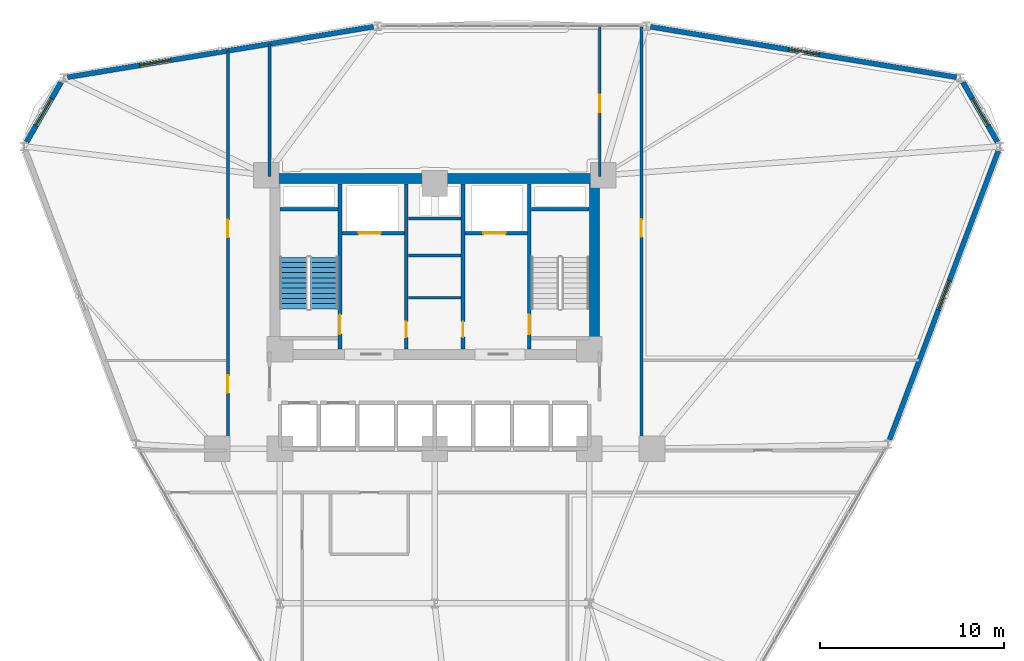
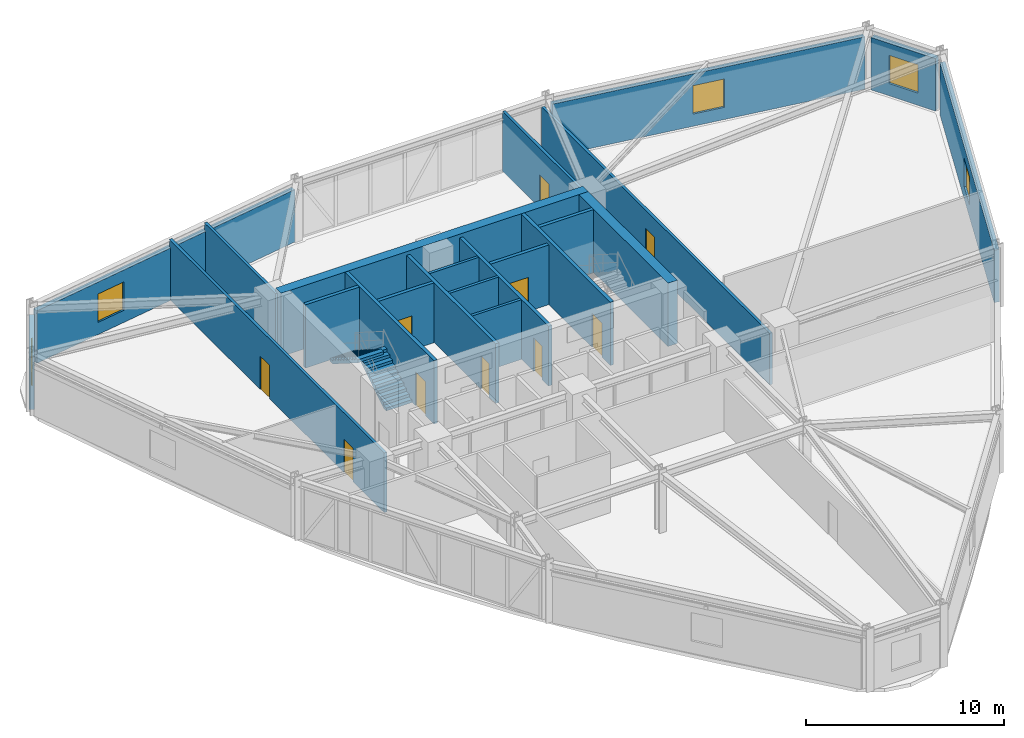
# One storey, part 15 of 20: 22 walls, 10 doors, 5 windows, 2 stair flights, 15 openings, 1 element without a shape of its own.
"""IFC4 building model written with IfcOpenShell, lengths in metres."""

from ifc_helpers import new_model, si_unit, derived_unit, direction, frame, frame_2d, origin, place, context, subcontext, project, spatial, polyline, rectangle, outline, extrude, material, layer, layer_set, type_object, element, fill, aggregate, save


model = new_model("IFC4")

# Units and contexts
model_context = context("Model", 3, precision=1e-05, world=origin(), true_north=direction((0.0, 1.0)))
body_context = subcontext(model_context, "Body", "Model", "MODEL_VIEW")
ifc_project = project(units=[si_unit("LENGTHUNIT", "METRE"), si_unit("AREAUNIT", "SQUARE_METRE"), si_unit("VOLUMEUNIT", "CUBIC_METRE"), si_unit("PLANEANGLEUNIT", "RADIAN"), si_unit("MASSUNIT", "GRAM", prefix="KILO"), derived_unit("THERMALTRANSMITTANCEUNIT", [(si_unit("POWERUNIT", "WATT"), 1), (si_unit("LENGTHUNIT", "METRE"), -2), (si_unit("THERMODYNAMICTEMPERATUREUNIT", "KELVIN"), -1)])], contexts=[model_context])

# Site, building, storey
site_placement = place(None, origin())
site = spatial("IfcSite", under=ifc_project, at=site_placement, CompositionType="ELEMENT")
building_placement = place(site_placement, origin())
building = spatial("IfcBuilding", under=site, at=building_placement, Name="Korsvarv Bourse and Concert Hall", CompositionType="ELEMENT")
storey_placement = place(building_placement, frame((0.0, 0.0, 87.300048828125)))
storey = spatial("IfcBuildingStorey", under=building, at=storey_placement, Name="L21", CompositionType="ELEMENT", Elevation=87.300048828125)

# Wall, opening, door
ifc_material_1 = material(Name="Concrete C50/60", Category="concrete")
ifc_layer_1 = layer(ifc_material_1, 0.3798828125)
ifc_layer_set_1 = layer_set([ifc_layer_1], Name="Concrete C50/60")
wall_type_1 = type_object("IfcWallType", Name="WL-CORE-380", PredefinedType="SHEAR", material=ifc_layer_set_1)
wall_1_placement = place(storey_placement, frame((30.860107421875, 37.81005859375, 0.0), z_axis=(0.0, 0.0, 1.0), x_axis=(0.0, 1.0, 0.0)))
wall_1 = element("IfcWall", 1, at=wall_1_placement, inside=storey, type_object=wall_type_1, Name="L21 stair shaft structural wall W-L21-ST1-E", PredefinedType="SHEAR", context=body_context, shape_type="SweptSolid", body=[
    extrude(rectangle(XDim=8.97998046875, YDim=0.199951171875, at=frame_2d((4.489990234375, 0.0))), origin(), (0.0, 0.0, 1.0), 3.89990234375),
])
opening_1_placement = place(wall_1_placement, frame((0.820068359375, 0.0, 0.0)))
opening_1 = element("IfcOpeningElement", 2, at=opening_1_placement, cuts=wall_1, Name="Opening D-01", PredefinedType="OPENING", context=body_context, shape_type="SweptSolid", body=[
    extrude(rectangle(XDim=1.050048828125, YDim=2.10009765625, at=frame_2d((0.52490234375, 1.050048828125))), frame((0.0, 0.10986328125, 0.0), z_axis=(0.0, -1.0, 0.0), x_axis=(1.0, 0.0, 0.0)), (0.0, 0.0, 1.0), 0.219970703125),
])
ifc_material_2 = material(Name="Steel S355 fire door", Category="steel")
door_type_1 = type_object("IfcDoorType", Name="DR-FD60", OperationType="NOTDEFINED", PredefinedType="DOOR", material=ifc_material_2)
door_1_placement = place(opening_1_placement, origin())
door_1 = element("IfcDoor", 3, at=door_1_placement, inside=storey, type_object=door_type_1, Name="L21 interior door DR-L21-ST1", OperationType="SINGLE_SWING_LEFT", OverallHeight=2.10009765625, OverallWidth=1.050048828125, PredefinedType="DOOR", context=body_context, shape_type="SweptSolid", body=[
    extrude(rectangle(XDim=1.050048828125, YDim=2.10009765625, at=frame_2d((0.52490234375, 1.050048828125))), frame((0.0, 0.02490234375, 0.0), z_axis=(0.0, -1.0, 0.0), x_axis=(1.0, 0.0, 0.0)), (0.0, 0.0, 1.0), 0.050048828125),
])
fill(opening_1, door_1)

# Wall
wall_2_placement = place(storey_placement, frame((27.610107421875, 45.39990234375, 0.0), z_axis=(0.0, 0.0, 1.0), x_axis=(1.0, 0.0, 0.0)))
element("IfcWall", 4, at=wall_2_placement, inside=storey, type_object=wall_type_1, Name="L21 stair shaft structural wall W-L21-ST1-N", PredefinedType="SHEAR", context=body_context, shape_type="SweptSolid", body=[
    extrude(rectangle(XDim=3.139892578125, YDim=0.199951171875, at=frame_2d((1.56982421875, 0.0))), origin(), (0.0, 0.0, 1.0), 3.89990234375),
])

# Wall, opening, door
wall_3_placement = place(storey_placement, frame((41.139892578125, 37.81005859375, 0.0), z_axis=(0.0, 0.0, 1.0), x_axis=(0.0, 1.0, 0.0)))
wall_3 = element("IfcWall", 5, at=wall_3_placement, inside=storey, type_object=wall_type_1, Name="L21 stair shaft structural wall W-L21-ST2-W", PredefinedType="SHEAR", context=body_context, shape_type="SweptSolid", body=[
    extrude(rectangle(XDim=8.97998046875, YDim=0.199951171875, at=frame_2d((4.489990234375, 0.0))), origin(), (0.0, 0.0, 1.0), 3.89990234375),
])
opening_2_placement = place(wall_3_placement, frame((0.820068359375, 0.0, 0.0)))
opening_2 = element("IfcOpeningElement", 6, at=opening_2_placement, cuts=wall_3, Name="Opening D-01", PredefinedType="OPENING", context=body_context, shape_type="SweptSolid", body=[
    extrude(rectangle(XDim=1.050048828125, YDim=2.10009765625, at=frame_2d((0.52490234375, 1.050048828125))), frame((0.0, 0.10986328125, 0.0), z_axis=(0.0, -1.0, 0.0), x_axis=(1.0, 0.0, 0.0)), (0.0, 0.0, 1.0), 0.219970703125),
])
door_2_placement = place(opening_2_placement, frame((1.050048828125, 0.0, 0.0), z_axis=(0.0, 0.0, 1.0), x_axis=(-1.0, 0.0, 0.0)))
door_2 = element("IfcDoor", 7, at=door_2_placement, inside=storey, type_object=door_type_1, Name="L21 interior door DR-L21-ST2", OperationType="SINGLE_SWING_RIGHT", OverallHeight=2.10009765625, OverallWidth=1.050048828125, PredefinedType="DOOR", context=body_context, shape_type="SweptSolid", body=[
    extrude(rectangle(XDim=1.050048828125, YDim=2.10009765625, at=frame_2d((0.52490234375, 1.050048828125))), frame((0.0, 0.02490234375, 0.0), z_axis=(0.0, -1.0, 0.0), x_axis=(1.0, 0.0, 0.0)), (0.0, 0.0, 1.0), 0.050048828125),
])
fill(opening_2, door_2)

# Walls
wall_4_placement = place(storey_placement, frame((41.25, 45.39990234375, 0.0), z_axis=(0.0, 0.0, 1.0), x_axis=(1.0, 0.0, 0.0)))
element("IfcWall", 8, at=wall_4_placement, inside=storey, type_object=wall_type_1, Name="L21 stair shaft structural wall W-L21-ST2-N", PredefinedType="SHEAR", context=body_context, shape_type="SweptSolid", body=[
    extrude(rectangle(XDim=3.139892578125, YDim=0.199951171875, at=frame_2d((1.56982421875, 0.0))), origin(), (0.0, 0.0, 1.0), 3.89990234375),
])
ifc_material_3 = material(Name="Concrete C60/75", Category="concrete")
ifc_layer_2 = layer(ifc_material_3, 0.550048828125)
ifc_layer_set_2 = layer_set([ifc_layer_2], Name="Concrete C60/75")
wall_type_2 = type_object("IfcWallType", Name="WL-CORE-550", PredefinedType="SHEAR", material=ifc_layer_set_2)
wall_5_placement = place(storey_placement, frame((27.050048828125, 47.074951171875, 0.0), z_axis=(0.0, 0.0, 1.0), x_axis=(1.0, 0.0, 0.0)))
element("IfcWall", 9, at=wall_5_placement, inside=storey, type_object=wall_type_2, Name="L21 North Core Shear Wall", PredefinedType="SHEAR", context=body_context, shape_type="SweptSolid", body=[
    extrude(rectangle(XDim=17.89990234375, YDim=0.550048828125, at=frame_2d((8.949951171875, 0.0))), origin(), (0.0, 0.0, 1.0), 3.89990234375),
])
wall_6_placement = place(storey_placement, frame((44.675048828125, 37.800048828125, 0.0), z_axis=(0.0, 0.0, 1.0), x_axis=(0.0, 1.0, 0.0)))
element("IfcWall", 10, at=wall_6_placement, inside=storey, type_object=wall_type_2, Name="L21 East Core Shear Wall", PredefinedType="SHEAR", context=body_context, shape_type="SweptSolid", body=[
    extrude(rectangle(XDim=9.0, YDim=0.550048828125, at=frame_2d((4.5, 0.0))), origin(), (0.0, 0.0, 1.0), 3.89990234375),
])

# Wall, opening, window
ifc_material_4 = material(Name="Precast concrete C45/55 with terracotta rainscreen", Category="concrete")
ifc_layer_3 = layer(ifc_material_4, 0.300048828125)
ifc_layer_set_3 = layer_set([ifc_layer_3], Name="Precast concrete C45/55 with terracotta rainscreen")
wall_type_3 = type_object("IfcWallType", Name="WL-EXT-TC1", PredefinedType="SOLIDWALL", material=ifc_layer_set_3)
wall_7_placement = place(storey_placement, frame((66.565185546875, 49.0615234375, 0.0), z_axis=(0.0, 0.0, 1.0), x_axis=(-0.500012356405, 0.866018269693, 0.0)))
wall_7 = element("IfcWall", 11, at=wall_7_placement, inside=storey, type_object=wall_type_3, Name="L21 terracotta exterior wall EW-L21-B01", PredefinedType="SOLIDWALL", context=body_context, shape_type="SweptSolid", body=[
    extrude(rectangle(XDim=3.7421875, YDim=0.300048828125, at=frame_2d((1.87109375, 0.0))), origin(), (0.0, 0.0, 1.0), 3.22998046875),
])
opening_3_placement = place(wall_7_placement, frame((1.02099609375, 0.0, 0.75)))
opening_3 = element("IfcOpeningElement", 12, at=opening_3_placement, cuts=wall_7, Name="Opening W-01", PredefinedType="OPENING", context=body_context, shape_type="SweptSolid", body=[
    extrude(rectangle(XDim=1.699951171875, YDim=1.75, at=frame_2d((0.85009765625, 0.875))), frame((0.0, 0.16015625, 0.0), z_axis=(0.0, -1.0, 0.0), x_axis=(1.0, 0.0, 0.0)), (0.0, 0.0, 1.0), 0.320068359375),
])
ifc_material_5 = material(Name="Thermally broken aluminium frame with triple low-E glass", Category="glass")
window_type = type_object("IfcWindowType", Name="WIN-TW1", PartitioningType="SINGLE_PANEL", PredefinedType="WINDOW", material=ifc_material_5)
window_1_placement = place(opening_3_placement, origin())
window_1 = element("IfcWindow", 13, at=window_1_placement, inside=storey, type_object=window_type, Name="L21 punched facade window W-01", OverallHeight=1.75, OverallWidth=1.699951171875, PartitioningType="SINGLE_PANEL", PredefinedType="WINDOW", context=body_context, shape_type="SweptSolid", body=[
    extrude(rectangle(XDim=1.699951171875, YDim=1.75, at=frame_2d((0.85009765625, 0.875))), frame((0.0, 0.030029296875, 0.0), z_axis=(0.0, -1.0, 0.0), x_axis=(1.0, 0.0, 0.0)), (0.0, 0.0, 1.0), 0.06005859375),
])
fill(opening_3, window_1)

wall_8_placement = place(storey_placement, frame((15.705810546875, 52.30224609375, 0.0), z_axis=(0.0, 0.0, 1.0), x_axis=(-0.500012356405, -0.866018269693, 0.0)))
wall_8 = element("IfcWall", 14, at=wall_8_placement, inside=storey, type_object=wall_type_3, Name="L21 terracotta exterior wall EW-L21-B05", PredefinedType="SOLIDWALL", context=body_context, shape_type="SweptSolid", body=[
    extrude(rectangle(XDim=3.7421875, YDim=0.300048828125, at=frame_2d((1.87109375, 0.0))), origin(), (0.0, 0.0, 1.0), 3.22998046875),
])
opening_4_placement = place(wall_8_placement, frame((1.02099609375, 0.0, 0.75)))
opening_4 = element("IfcOpeningElement", 15, at=opening_4_placement, cuts=wall_8, Name="Opening W-01", PredefinedType="OPENING", context=body_context, shape_type="SweptSolid", body=[
    extrude(rectangle(XDim=1.699951171875, YDim=1.75, at=frame_2d((0.85009765625, 0.875))), frame((0.0, 0.16015625, 0.0), z_axis=(0.0, -1.0, 0.0), x_axis=(1.0, 0.0, 0.0)), (0.0, 0.0, 1.0), 0.320068359375),
])
window_2_placement = place(opening_4_placement, origin())
window_2 = element("IfcWindow", 16, at=window_2_placement, inside=storey, type_object=window_type, Name="L21 punched facade window W-01", OverallHeight=1.75, OverallWidth=1.699951171875, PartitioningType="SINGLE_PANEL", PredefinedType="WINDOW", context=body_context, shape_type="SweptSolid", body=[
    extrude(rectangle(XDim=1.699951171875, YDim=1.75, at=frame_2d((0.85009765625, 0.875))), frame((0.0, 0.030029296875, 0.0), z_axis=(0.0, -1.0, 0.0), x_axis=(1.0, 0.0, 0.0)), (0.0, 0.0, 1.0), 0.06005859375),
])
fill(opening_4, window_2)

ifc_material_6 = material(Name="Precast concrete C45/55 with fluted terracotta pier", Category="concrete")
ifc_layer_4 = layer(ifc_material_6, 0.280029296875)
ifc_layer_set_4 = layer_set([ifc_layer_4], Name="Precast concrete C45/55 with fluted terracotta pier")
wall_type_4 = type_object("IfcWallType", Name="WL-EXT-TC2", PredefinedType="SOLIDWALL", material=ifc_layer_set_4)
wall_9_placement = place(storey_placement, frame((64.33740234375, 52.580078125, 0.0), z_axis=(0.0, 0.0, 1.0), x_axis=(-0.986649040197, 0.162860896097, 0.0)))
wall_9 = element("IfcWall", 17, at=wall_9_placement, inside=storey, type_object=wall_type_4, Name="L21 terracotta exterior wall EW-L21-B02", PredefinedType="SOLIDWALL", context=body_context, shape_type="SweptSolid", body=[
    extrude(rectangle(XDim=16.836181640625, YDim=0.280029296875, at=frame_2d((8.41796875, 0.0))), origin(), (0.0, 0.0, 1.0), 3.22998046875),
])
opening_5_placement = place(wall_9_placement, frame((7.568115234375, 0.0, 0.75)))
opening_5 = element("IfcOpeningElement", 18, at=opening_5_placement, cuts=wall_9, Name="Opening W-01", PredefinedType="OPENING", context=body_context, shape_type="SweptSolid", body=[
    extrude(rectangle(XDim=1.699951171875, YDim=1.75, at=frame_2d((0.85009765625, 0.875))), frame((0.0, 0.14990234375, 0.0), z_axis=(0.0, -1.0, 0.0), x_axis=(1.0, 0.0, 0.0)), (0.0, 0.0, 1.0), 0.300048828125),
])
window_3_placement = place(opening_5_placement, origin())
window_3 = element("IfcWindow", 19, at=window_3_placement, inside=storey, type_object=window_type, Name="L21 punched facade window W-01", OverallHeight=1.75, OverallWidth=1.699951171875, PartitioningType="SINGLE_PANEL", PredefinedType="WINDOW", context=body_context, shape_type="SweptSolid", body=[
    extrude(rectangle(XDim=1.699951171875, YDim=1.75, at=frame_2d((0.85009765625, 0.875))), frame((0.0, 0.030029296875, 0.0), z_axis=(0.0, -1.0, 0.0), x_axis=(1.0, 0.0, 0.0)), (0.0, 0.0, 1.0), 0.06005859375),
])
fill(opening_5, window_3)

wall_10_placement = place(storey_placement, frame((32.674072265625, 55.322021484375, 0.0), z_axis=(0.0, 0.0, 1.0), x_axis=(-0.986649424809, -0.162858566012, 0.0)))
wall_10 = element("IfcWall", 20, at=wall_10_placement, inside=storey, type_object=wall_type_4, Name="L21 terracotta exterior wall EW-L21-B04", PredefinedType="SOLIDWALL", context=body_context, shape_type="SweptSolid", body=[
    extrude(rectangle(XDim=16.83642578125, YDim=0.280029296875, at=frame_2d((8.418212890625, 0.0))), origin(), (0.0, 0.0, 1.0), 3.22998046875),
])
opening_6_placement = place(wall_10_placement, frame((11.152099609375, 0.0, 0.75)))
opening_6 = element("IfcOpeningElement", 21, at=opening_6_placement, cuts=wall_10, Name="Opening W-01", PredefinedType="OPENING", context=body_context, shape_type="SweptSolid", body=[
    extrude(rectangle(XDim=1.699951171875, YDim=1.75, at=frame_2d((0.85009765625, 0.875))), frame((0.0, 0.14990234375, 0.0), z_axis=(0.0, -1.0, 0.0), x_axis=(1.0, 0.0, 0.0)), (0.0, 0.0, 1.0), 0.300048828125),
])
window_4_placement = place(opening_6_placement, origin())
window_4 = element("IfcWindow", 22, at=window_4_placement, inside=storey, type_object=window_type, Name="L21 punched facade window W-01", OverallHeight=1.75, OverallWidth=1.699951171875, PartitioningType="SINGLE_PANEL", PredefinedType="WINDOW", context=body_context, shape_type="SweptSolid", body=[
    extrude(rectangle(XDim=1.699951171875, YDim=1.75, at=frame_2d((0.85009765625, 0.875))), frame((0.0, 0.030029296875, 0.0), z_axis=(0.0, -1.0, 0.0), x_axis=(1.0, 0.0, 0.0)), (0.0, 0.0, 1.0), 0.06005859375),
])
fill(opening_6, window_4)

wall_11_placement = place(storey_placement, frame((60.7099609375, 32.892822265625, 0.0), z_axis=(0.0, 0.0, 1.0), x_axis=(0.352291780657, 0.935890218605, 0.0)))
wall_11 = element("IfcWall", 23, at=wall_11_placement, inside=storey, type_object=wall_type_4, Name="L21 terracotta exterior wall EW-L21-B12", PredefinedType="SOLIDWALL", context=body_context, shape_type="SweptSolid", body=[
    extrude(rectangle(XDim=16.759033203125, YDim=0.280029296875, at=frame_2d((8.37939453125, 0.0))), origin(), (0.0, 0.0, 1.0), 3.22998046875),
])
opening_7_placement = place(wall_11_placement, frame((7.529541015625, 0.0, 0.75)))
opening_7 = element("IfcOpeningElement", 24, at=opening_7_placement, cuts=wall_11, Name="Opening W-01", PredefinedType="OPENING", context=body_context, shape_type="SweptSolid", body=[
    extrude(rectangle(XDim=1.699951171875, YDim=1.75, at=frame_2d((0.85009765625, 0.875))), frame((0.0, 0.14990234375, 0.0), z_axis=(0.0, -1.0, 0.0), x_axis=(1.0, 0.0, 0.0)), (0.0, 0.0, 1.0), 0.300048828125),
])
window_5_placement = place(opening_7_placement, origin())
window_5 = element("IfcWindow", 25, at=window_5_placement, inside=storey, type_object=window_type, Name="L21 punched facade window W-01", OverallHeight=1.75, OverallWidth=1.699951171875, PartitioningType="SINGLE_PANEL", PredefinedType="WINDOW", context=body_context, shape_type="SweptSolid", body=[
    extrude(rectangle(XDim=1.699951171875, YDim=1.75, at=frame_2d((0.85009765625, 0.875))), frame((0.0, 0.030029296875, 0.0), z_axis=(0.0, -1.0, 0.0), x_axis=(1.0, 0.0, 0.0)), (0.0, 0.0, 1.0), 0.06005859375),
])
fill(opening_7, window_5)

# Wall, opening, door
ifc_material_7 = material(Name="Reinforced concrete blockwork C35/45 fire wall", Category="concrete")
ifc_layer_5 = layer(ifc_material_7, 0.199951171875)
ifc_layer_set_5 = layer_set([ifc_layer_5], Name="Reinforced concrete blockwork C35/45 fire wall")
wall_type_5 = type_object("IfcWallType", Name="WL-INT-EI120", PredefinedType="PARTITIONING", material=ifc_layer_set_5)
wall_12_placement = place(storey_placement, frame((30.969970703125, 44.10009765625, 0.0), z_axis=(0.0, 0.0, 1.0), x_axis=(1.0, 0.0, 0.0)))
wall_12 = element("IfcWall", 26, at=wall_12_placement, inside=storey, type_object=wall_type_5, Name="L21 interior partition wall W-L21-FF1-S", PredefinedType="PARTITIONING", context=body_context, shape_type="SweptSolid", body=[
    extrude(rectangle(XDim=3.380126953125, YDim=0.199951171875, at=frame_2d((1.68994140625, 0.0))), origin(), (0.0, 0.0, 1.0), 3.679931640625),
])
opening_8_placement = place(wall_12_placement, frame((0.89990234375, 0.0, 0.0)))
opening_8 = element("IfcOpeningElement", 27, at=opening_8_placement, cuts=wall_12, Name="Opening LD-1", PredefinedType="OPENING", context=body_context, shape_type="SweptSolid", body=[
    extrude(rectangle(XDim=1.199951171875, YDim=2.10009765625, at=frame_2d((0.60009765625, 1.050048828125))), frame((0.0, 0.10986328125, 0.0), z_axis=(0.0, -1.0, 0.0), x_axis=(1.0, 0.0, 0.0)), (0.0, 0.0, 1.0), 0.219970703125),
])
ifc_material_8 = material(Name="Stainless Steel S355 firefighting lift landing door", Category="steel")
door_type_2 = type_object("IfcDoorType", Name="DR-LIFT-FF", OperationType="DOUBLE_DOOR_SLIDING", PredefinedType="DOOR", material=ifc_material_8)
door_3_placement = place(opening_8_placement, origin())
door_3 = element("IfcDoor", 28, at=door_3_placement, inside=storey, type_object=door_type_2, Name="L21 lift sliding landing door LD-L21-FF1", OperationType="DOUBLE_DOOR_SLIDING", OverallHeight=2.10009765625, OverallWidth=1.199951171875, PredefinedType="DOOR", context=body_context, shape_type="SweptSolid", body=[
    extrude(rectangle(XDim=1.199951171875, YDim=2.10009765625, at=frame_2d((0.60009765625, 1.050048828125))), frame((0.0, 0.02490234375, 0.0), z_axis=(0.0, -1.0, 0.0), x_axis=(1.0, 0.0, 0.0)), (0.0, 0.0, 1.0), 0.050048828125),
])
fill(opening_8, door_3)

wall_13_placement = place(storey_placement, frame((37.64990234375, 44.10009765625, 0.0), z_axis=(0.0, 0.0, 1.0), x_axis=(1.0, 0.0, 0.0)))
wall_13 = element("IfcWall", 29, at=wall_13_placement, inside=storey, type_object=wall_type_5, Name="L21 interior partition wall W-L21-FF2-S", PredefinedType="PARTITIONING", context=body_context, shape_type="SweptSolid", body=[
    extrude(rectangle(XDim=3.380126953125, YDim=0.199951171875, at=frame_2d((1.68994140625, 0.0))), origin(), (0.0, 0.0, 1.0), 3.679931640625),
])
opening_9_placement = place(wall_13_placement, frame((1.0, 0.0, 0.0)))
opening_9 = element("IfcOpeningElement", 30, at=opening_9_placement, cuts=wall_13, Name="Opening LD-1", PredefinedType="OPENING", context=body_context, shape_type="SweptSolid", body=[
    extrude(rectangle(XDim=1.199951171875, YDim=2.10009765625, at=frame_2d((0.60009765625, 1.050048828125))), frame((0.0, 0.10986328125, 0.0), z_axis=(0.0, -1.0, 0.0), x_axis=(1.0, 0.0, 0.0)), (0.0, 0.0, 1.0), 0.219970703125),
])
door_4_placement = place(opening_9_placement, origin())
door_4 = element("IfcDoor", 31, at=door_4_placement, inside=storey, type_object=door_type_2, Name="L21 lift sliding landing door LD-L21-FF2", OperationType="DOUBLE_DOOR_SLIDING", OverallHeight=2.10009765625, OverallWidth=1.199951171875, PredefinedType="DOOR", context=body_context, shape_type="SweptSolid", body=[
    extrude(rectangle(XDim=1.199951171875, YDim=2.10009765625, at=frame_2d((0.60009765625, 1.050048828125))), frame((0.0, 0.02490234375, 0.0), z_axis=(0.0, -1.0, 0.0), x_axis=(1.0, 0.0, 0.0)), (0.0, 0.0, 1.0), 0.050048828125),
])
fill(opening_9, door_4)

wall_14_placement = place(storey_placement, frame((34.4599609375, 37.81005859375, 0.0), z_axis=(0.0, 0.0, 1.0), x_axis=(0.0, 1.0, 0.0)))
wall_14 = element("IfcWall", 32, at=wall_14_placement, inside=storey, type_object=wall_type_5, Name="L21 interior partition wall W-L21-CSB-W", PredefinedType="PARTITIONING", context=body_context, shape_type="SweptSolid", body=[
    extrude(rectangle(XDim=8.97998046875, YDim=0.199951171875, at=frame_2d((4.489990234375, 0.0))), origin(), (0.0, 0.0, 1.0), 3.679931640625),
])
opening_10_placement = place(wall_14_placement, frame((0.64990234375, 0.0, 0.0)))
opening_10 = element("IfcOpeningElement", 33, at=opening_10_placement, cuts=wall_14, Name="Opening D-05", PredefinedType="OPENING", context=body_context, shape_type="SweptSolid", body=[
    extrude(rectangle(XDim=0.85009765625, YDim=2.050048828125, at=frame_2d((0.425048828125, 1.02490234375))), frame((0.0, 0.10986328125, 0.0), z_axis=(0.0, -1.0, 0.0), x_axis=(1.0, 0.0, 0.0)), (0.0, 0.0, 1.0), 0.219970703125),
])
door_type_3 = type_object("IfcDoorType", Name="DR-FD60-850X2050", OperationType="NOTDEFINED", PredefinedType="DOOR", material=ifc_material_2)
door_5_placement = place(opening_10_placement, frame((0.85009765625, 0.0, 0.0), z_axis=(0.0, 0.0, 1.0), x_axis=(-1.0, 0.0, 0.0)))
door_5 = element("IfcDoor", 34, at=door_5_placement, inside=storey, type_object=door_type_3, Name="L21 interior door DR-L21-CSB1", OperationType="SINGLE_SWING_LEFT", OverallHeight=2.050048828125, OverallWidth=0.85009765625, PredefinedType="DOOR", context=body_context, shape_type="SweptSolid", body=[
    extrude(rectangle(XDim=0.85009765625, YDim=2.050048828125, at=frame_2d((0.425048828125, 1.02490234375))), frame((0.0, 0.02490234375, 0.0), z_axis=(0.0, -1.0, 0.0), x_axis=(1.0, 0.0, 0.0)), (0.0, 0.0, 1.0), 0.050048828125),
])
fill(opening_10, door_5)

wall_15_placement = place(storey_placement, frame((37.5400390625, 37.81005859375, 0.0), z_axis=(0.0, 0.0, 1.0), x_axis=(0.0, 1.0, 0.0)))
wall_15 = element("IfcWall", 35, at=wall_15_placement, inside=storey, type_object=wall_type_5, Name="L21 interior partition wall W-L21-CSB-E", PredefinedType="PARTITIONING", context=body_context, shape_type="SweptSolid", body=[
    extrude(rectangle(XDim=8.97998046875, YDim=0.199951171875, at=frame_2d((4.489990234375, 0.0))), origin(), (0.0, 0.0, 1.0), 3.679931640625),
])
opening_11_placement = place(wall_15_placement, frame((0.64990234375, 0.0, 0.0)))
opening_11 = element("IfcOpeningElement", 36, at=opening_11_placement, cuts=wall_15, Name="Opening D-05", PredefinedType="OPENING", context=body_context, shape_type="SweptSolid", body=[
    extrude(rectangle(XDim=0.85009765625, YDim=2.050048828125, at=frame_2d((0.425048828125, 1.02490234375))), frame((0.0, 0.10986328125, 0.0), z_axis=(0.0, -1.0, 0.0), x_axis=(1.0, 0.0, 0.0)), (0.0, 0.0, 1.0), 0.219970703125),
])
door_6_placement = place(opening_11_placement, origin())
door_6 = element("IfcDoor", 37, at=door_6_placement, inside=storey, type_object=door_type_3, Name="L21 interior door DR-L21-CSB2", OperationType="SINGLE_SWING_RIGHT", OverallHeight=2.050048828125, OverallWidth=0.85009765625, PredefinedType="DOOR", context=body_context, shape_type="SweptSolid", body=[
    extrude(rectangle(XDim=0.85009765625, YDim=2.050048828125, at=frame_2d((0.425048828125, 1.02490234375))), frame((0.0, 0.02490234375, 0.0), z_axis=(0.0, -1.0, 0.0), x_axis=(1.0, 0.0, 0.0)), (0.0, 0.0, 1.0), 0.050048828125),
])
fill(opening_11, door_6)

# Walls
ifc_material_9 = material(Name="Double-stud fire-rated acoustic partition", Category="gypsum")
ifc_layer_6 = layer(ifc_material_9, 0.159912109375)
ifc_layer_set_6 = layer_set([ifc_layer_6], Name="Double-stud fire-rated acoustic partition")
wall_type_6 = type_object("IfcWallType", Name="WL-INT-EI60", PredefinedType="PARTITIONING", material=ifc_layer_set_6)
for number, where, z_axis, x_axis, name in (
    (38, (34.570068359375, 40.60009765625, 0.0), (0.0, 0.0, 1.0), (1.0, 0.0, 0.0), "L21 interior partition wall W-L21-K1"),
    (39, (34.570068359375, 42.89990234375, 0.0), (0.0, 0.0, 1.0), (1.0, 0.0, 0.0), "L21 interior partition wall W-L21-K2"),
    (40, (34.570068359375, 44.89990234375, 0.0), (0.0, 0.0, 1.0), (1.0, 0.0, 0.0), "L21 interior partition wall W-L21-K3"),
):
    element("IfcWall", number, at=place(storey_placement, frame(where, z_axis=z_axis, x_axis=x_axis)), inside=storey, type_object=wall_type_6, Name=name, PredefinedType="PARTITIONING", context=body_context, shape_type="SweptSolid", body=[
        extrude(rectangle(XDim=2.85986328125, YDim=0.159912109375, at=frame_2d((1.429931640625, 0.0))), origin(), (0.0, 0.0, 1.0), 3.679931640625),
    ])

# Wall, opening, door
wall_16_placement = place(storey_placement, frame((47.22509765625, 32.31005859375, 0.0), z_axis=(0.0, 0.0, 1.0), x_axis=(0.0, 1.0, 0.0)))
wall_16 = element("IfcWall", 41, at=wall_16_placement, inside=storey, type_object=wall_type_6, Name="L21 interior partition wall W-L21-TCOR-02", PredefinedType="PARTITIONING", context=body_context, shape_type="SweptSolid", body=[
    extrude(rectangle(XDim=23.02783203125, YDim=0.159912109375, at=frame_2d((11.513916015625, 0.0))), origin(), (0.0, 0.0, 1.0), 3.179931640625),
])
opening_12_placement = place(wall_16_placement, frame((11.590087890625, 0.0, 0.0)))
opening_12 = element("IfcOpeningElement", 42, at=opening_12_placement, cuts=wall_16, Name="Opening D-02", PredefinedType="OPENING", context=body_context, shape_type="SweptSolid", body=[
    extrude(rectangle(XDim=0.949951171875, YDim=2.050048828125, at=frame_2d((0.47509765625, 1.02490234375))), frame((0.0, 0.08984375, 0.0), z_axis=(0.0, -1.0, 0.0), x_axis=(1.0, 0.0, 0.0)), (0.0, 0.0, 1.0), 0.179931640625),
])
ifc_material_10 = material(Name="Timber and steel acoustic fire door", Category="wood")
door_type_4 = type_object("IfcDoorType", Name="DR-FD30", OperationType="NOTDEFINED", PredefinedType="DOOR", material=ifc_material_10)
door_7_placement = place(opening_12_placement, origin())
door_7 = element("IfcDoor", 43, at=door_7_placement, inside=storey, type_object=door_type_4, Name="L21 interior door DR-L21-TCOR-R072", OperationType="SINGLE_SWING_LEFT", OverallHeight=2.050048828125, OverallWidth=0.949951171875, PredefinedType="DOOR", context=body_context, shape_type="SweptSolid", body=[
    extrude(rectangle(XDim=0.949951171875, YDim=2.050048828125, at=frame_2d((0.47509765625, 1.02490234375))), frame((0.0, 0.02490234375, 0.0), z_axis=(0.0, -1.0, 0.0), x_axis=(1.0, 0.0, 0.0)), (0.0, 0.0, 1.0), 0.050048828125),
])
fill(opening_12, door_7)

# Wall, openings, doors
wall_17_placement = place(storey_placement, frame((24.77490234375, 32.31005859375, 0.0), z_axis=(0.0, 0.0, 1.0), x_axis=(0.0, 1.0, 0.0)))
wall_17 = element("IfcWall", 44, at=wall_17_placement, inside=storey, type_object=wall_type_6, Name="L21 interior partition wall W-L21-TCOR-03", PredefinedType="PARTITIONING", context=body_context, shape_type="SweptSolid", body=[
    extrude(rectangle(XDim=21.688232421875, YDim=0.159912109375, at=frame_2d((10.84423828125, 0.0))), origin(), (0.0, 0.0, 1.0), 3.679931640625),
])
opening_13_placement = place(wall_17_placement, frame((3.128173828125, 0.0, 0.0)))
opening_13 = element("IfcOpeningElement", 45, at=opening_13_placement, cuts=wall_17, Name="Opening D-02", PredefinedType="OPENING", context=body_context, shape_type="SweptSolid", body=[
    extrude(rectangle(XDim=0.949951171875, YDim=2.050048828125, at=frame_2d((0.47509765625, 1.02490234375))), frame((0.0, 0.08984375, 0.0), z_axis=(0.0, -1.0, 0.0), x_axis=(1.0, 0.0, 0.0)), (0.0, 0.0, 1.0), 0.179931640625),
])
opening_14_placement = place(wall_17_placement, frame((11.572509765625, 0.0, 0.0)))
opening_14 = element("IfcOpeningElement", 46, at=opening_14_placement, cuts=wall_17, Name="Opening D-02", PredefinedType="OPENING", context=body_context, shape_type="SweptSolid", body=[
    extrude(rectangle(XDim=0.949951171875, YDim=2.050048828125, at=frame_2d((0.47509765625, 1.02490234375))), frame((0.0, 0.08984375, 0.0), z_axis=(0.0, -1.0, 0.0), x_axis=(1.0, 0.0, 0.0)), (0.0, 0.0, 1.0), 0.179931640625),
])
door_8_placement = place(opening_13_placement, origin())
door_8 = element("IfcDoor", 47, at=door_8_placement, inside=storey, type_object=door_type_4, Name="L21 interior door DR-L21-TCOR-R047", OperationType="SINGLE_SWING_RIGHT", OverallHeight=2.050048828125, OverallWidth=0.949951171875, PredefinedType="DOOR", context=body_context, shape_type="SweptSolid", body=[
    extrude(rectangle(XDim=0.949951171875, YDim=2.050048828125, at=frame_2d((0.47509765625, 1.02490234375))), frame((0.0, 0.02490234375, 0.0), z_axis=(0.0, -1.0, 0.0), x_axis=(1.0, 0.0, 0.0)), (0.0, 0.0, 1.0), 0.050048828125),
])
fill(opening_13, door_8)
door_9_placement = place(opening_14_placement, origin())
door_9 = element("IfcDoor", 48, at=door_9_placement, inside=storey, type_object=door_type_4, Name="L21 interior door DR-L21-TCOR-R058", OperationType="SINGLE_SWING_LEFT", OverallHeight=2.050048828125, OverallWidth=0.949951171875, PredefinedType="DOOR", context=body_context, shape_type="SweptSolid", body=[
    extrude(rectangle(XDim=0.949951171875, YDim=2.050048828125, at=frame_2d((0.47509765625, 1.02490234375))), frame((0.0, 0.02490234375, 0.0), z_axis=(0.0, -1.0, 0.0), x_axis=(1.0, 0.0, 0.0)), (0.0, 0.0, 1.0), 0.050048828125),
])
fill(opening_14, door_9)

# Wall, opening, door
wall_18_placement = place(storey_placement, frame((44.965087890625, 47.179931640625, 0.0), z_axis=(0.0, 0.0, 1.0), x_axis=(0.0, 1.0, 0.0)))
wall_18 = element("IfcWall", 49, at=wall_18_placement, inside=storey, type_object=wall_type_6, Name="L21 interior partition wall W-L21-TCOR-05", PredefinedType="PARTITIONING", context=body_context, shape_type="SweptSolid", body=[
    extrude(rectangle(XDim=8.157958984375, YDim=0.159912109375, at=frame_2d((4.0791015625, 0.0))), origin(), (0.0, 0.0, 1.0), 3.679931640625),
])
opening_15_placement = place(wall_18_placement, frame((3.498046875, 0.0, 0.0)))
opening_15 = element("IfcOpeningElement", 50, at=opening_15_placement, cuts=wall_18, Name="Opening D-02", PredefinedType="OPENING", context=body_context, shape_type="SweptSolid", body=[
    extrude(rectangle(XDim=0.949951171875, YDim=2.050048828125, at=frame_2d((0.47509765625, 1.02490234375))), frame((0.0, 0.08984375, 0.0), z_axis=(0.0, -1.0, 0.0), x_axis=(1.0, 0.0, 0.0)), (0.0, 0.0, 1.0), 0.179931640625),
])
door_10_placement = place(opening_15_placement, origin())
door_10 = element("IfcDoor", 51, at=door_10_placement, inside=storey, type_object=door_type_4, Name="L21 interior door DR-L21-TCOR-RM66", OperationType="SINGLE_SWING_LEFT", OverallHeight=2.050048828125, OverallWidth=0.949951171875, PredefinedType="DOOR", context=body_context, shape_type="SweptSolid", body=[
    extrude(rectangle(XDim=0.949951171875, YDim=2.050048828125, at=frame_2d((0.47509765625, 1.02490234375))), frame((0.0, 0.02490234375, 0.0), z_axis=(0.0, -1.0, 0.0), x_axis=(1.0, 0.0, 0.0)), (0.0, 0.0, 1.0), 0.050048828125),
])
fill(opening_15, door_10)

# Wall
wall_19_placement = place(storey_placement, frame((27.034912109375, 47.179931640625, 0.0), z_axis=(0.0, 0.0, 1.0), x_axis=(0.0, 1.0, 0.0)))
element("IfcWall", 52, at=wall_19_placement, inside=storey, type_object=wall_type_6, Name="L21 interior partition wall W-L21-TCOR-06", PredefinedType="PARTITIONING", context=body_context, shape_type="SweptSolid", body=[
    extrude(rectangle(XDim=7.191162109375, YDim=0.159912109375, at=frame_2d((3.595703125, 0.0))), origin(), (0.0, 0.0, 1.0), 3.679931640625),
])

# Stair, stair flights
ifc_material_11 = material(Name="Precast concrete C45/55", Category="concrete")
stair_type = type_object("IfcStairType", Name="STR-TYPE-03", PredefinedType="HALF_TURN_STAIR", material=ifc_material_11)
stair_placement = place(storey_placement, origin())
stair = element("IfcStair", 53, at=stair_placement, inside=storey, type_object=stair_type, Name="L21 Tower West Exit Stair ST-T1", PredefinedType="HALF_TURN_STAIR")
stair_flight_type = type_object("IfcStairFlightType", Name="FLT-TYPE-03", PredefinedType="STRAIGHT", material=ifc_material_11)
stair_flight_1_placement = place(storey_placement, frame((30.010009765625, 40.0, 0.0), z_axis=(0.0, 0.0, 1.0), x_axis=(0.0, 1.0, 0.0)))
stair_flight_1 = element("IfcStairFlight", 54, at=stair_flight_1_placement, type_object=stair_flight_type, Name="ST-T1 flight 1", NumberOfRisers=11, NumberOfTreads=10, PredefinedType="STRAIGHT", RiserHeight=0.177272727, TreadLength=0.28, context=body_context, shape_type="SweptSolid", body=[
    extrude(outline(polyline([(0.0, 0.0), (0.0, 0.17724609375), (0.280029296875, 0.17724609375), (0.280029296875, 0.3544921875), (0.56005859375, 0.3544921875), (0.56005859375, 0.53173828125), (0.840087890625, 0.53173828125), (0.840087890625, 0.708984375), (1.1201171875, 0.708984375), (1.1201171875, 0.886474609375), (1.39990234375, 0.886474609375), (1.39990234375, 1.063720703125), (1.679931640625, 1.063720703125), (1.679931640625, 1.240966796875), (1.9599609375, 1.240966796875), (1.9599609375, 1.418212890625), (2.239990234375, 1.418212890625), (2.239990234375, 1.595458984375), (2.52001953125, 1.595458984375), (2.52001953125, 1.772705078125), (2.800048828125, 1.772705078125), (2.800048828125, 1.949951171875), (2.800048828125, 1.59521484375), (0.2802734375, 0.0), (0.0, 0.0)])), frame((0.0, 0.75, 0.0), z_axis=(0.0, -1.0, 0.0), x_axis=(1.0, 0.0, 0.0)), (0.0, 0.0, 1.0), 1.5),
])
stair_flight_2_placement = place(storey_placement, frame((28.35009765625, 42.800048828125, 1.949951171875), z_axis=(0.0, 0.0, 1.0), x_axis=(0.0, -1.0, 0.0)))
stair_flight_2 = element("IfcStairFlight", 55, at=stair_flight_2_placement, type_object=stair_flight_type, Name="ST-T1 flight 2", NumberOfRisers=11, NumberOfTreads=10, PredefinedType="STRAIGHT", RiserHeight=0.177272727, TreadLength=0.28, context=body_context, shape_type="SweptSolid", body=[
    extrude(outline(polyline([(0.0, 0.0), (0.0, 0.17724609375), (0.280029296875, 0.17724609375), (0.280029296875, 0.3544921875), (0.56005859375, 0.3544921875), (0.56005859375, 0.53173828125), (0.840087890625, 0.53173828125), (0.840087890625, 0.708984375), (1.1201171875, 0.708984375), (1.1201171875, 0.886474609375), (1.39990234375, 0.886474609375), (1.39990234375, 1.063720703125), (1.679931640625, 1.063720703125), (1.679931640625, 1.240966796875), (1.9599609375, 1.240966796875), (1.9599609375, 1.418212890625), (2.239990234375, 1.418212890625), (2.239990234375, 1.595458984375), (2.52001953125, 1.595458984375), (2.52001953125, 1.772705078125), (2.800048828125, 1.772705078125), (2.800048828125, 1.949951171875), (2.800048828125, 1.59521484375), (0.2802734375, 0.0), (0.0, 0.0)])), frame((0.0, 0.75, 0.0), z_axis=(0.0, -1.0, 0.0), x_axis=(1.0, 0.0, 0.0)), (0.0, 0.0, 1.0), 1.5),
])
aggregate(stair, [stair_flight_1, stair_flight_2])

save(model, "model.ifc")
